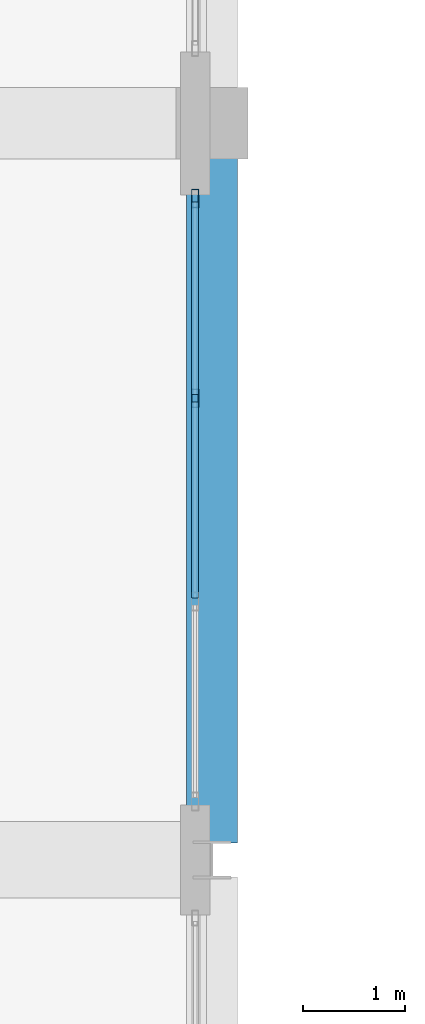
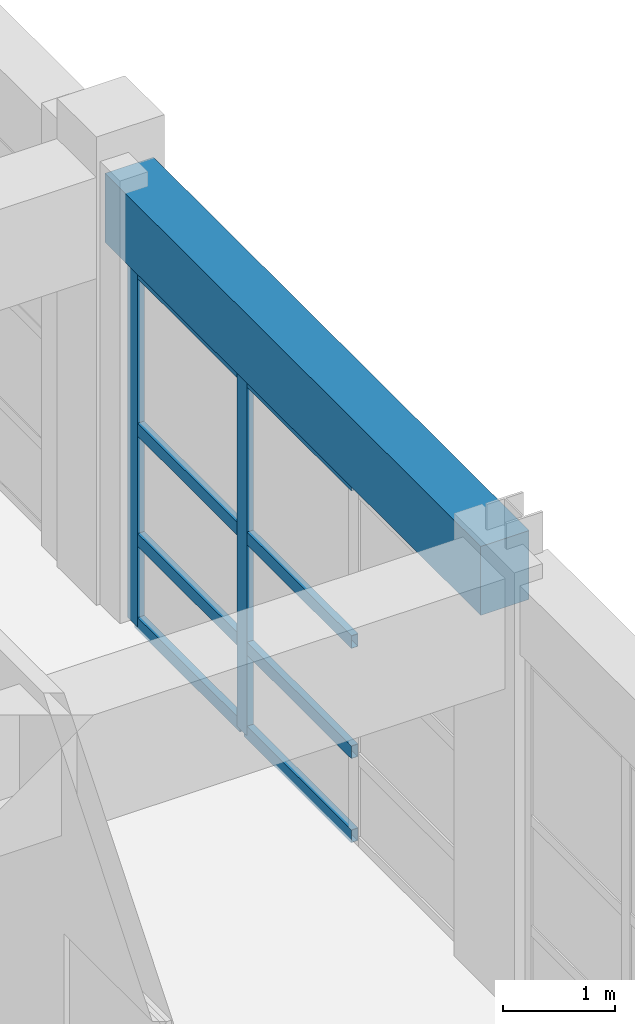
# One storey, part 24 of 78: 10 members, 1 beam, 1 element without a shape of its own.
"""IFC4 building model written with IfcOpenShell, lengths in metres."""

from ifc_helpers import new_model, si_unit, direction, frame, origin, origin_2d, place, context, subcontext, project, spatial, rectangle, hollow_rectangle, extrude, material, layer, layer_set, material_profile, profile_set, type_object, element, aggregate, save


model = new_model("IFC4")

# Units and contexts
model_context = context("Model", 3, precision=1e-05, world=origin(), true_north=direction((0.0, 1.0)))
body_context = subcontext(model_context, "Body", "Model", "MODEL_VIEW")
ifc_project = project(units=[si_unit("LENGTHUNIT", "METRE"), si_unit("AREAUNIT", "SQUARE_METRE"), si_unit("VOLUMEUNIT", "CUBIC_METRE"), si_unit("PLANEANGLEUNIT", "RADIAN"), si_unit("MASSUNIT", "GRAM", prefix="KILO")], contexts=[model_context])

# Site, building, storey
site_placement = place(None, origin())
site = spatial("IfcSite", under=ifc_project, at=site_placement, CompositionType="ELEMENT")
building_placement = place(site_placement, origin())
building = spatial("IfcBuilding", under=site, at=building_placement, Name="Quendrovan Civic Courthouse", CompositionType="ELEMENT")
storey_placement = place(building_placement, frame((0.0, 0.0, 10.199951171875)))
storey = spatial("IfcBuildingStorey", under=building, at=storey_placement, Name="L03", CompositionType="ELEMENT", Elevation=10.199951171875)

# Beam
ifc_material_1 = material(Name="Concrete C40/50", Category="concrete")
ifc_material_profile_1 = material_profile(ifc_material_1, rectangle(XDim=0.5, YDim=0.75, at=origin_2d()), Name="RC-BM-500x750")
ifc_profile_set_1 = profile_set([ifc_material_profile_1], Name="Concrete C40/50")
beam_type = type_object("IfcBeamType", Name="BM-RC750", PredefinedType="SPANDREL", material=ifc_profile_set_1)
beam_placement = place(storey_placement, frame((16.800048828125, 73.365966796875, 4.28515625), z_axis=(0.0, 1.0, 0.0), x_axis=(-1.0, 0.0, 0.0)))
element("IfcBeam", 1, at=beam_placement, inside=storey, type_object=beam_type, Name="L03 Girder Y0817", PredefinedType="SPANDREL", context=body_context, shape_type="SweptSolid", body=[
    extrude(rectangle(XDim=0.5, YDim=0.75, at=origin_2d()), origin(), (0.0, 0.0, 1.0), 6.7041015625),
])

# Curtain wall, members
ifc_material_2 = material(Name="Bronze anodised aluminium and low-E glass", Category="aluminium")
ifc_layer = layer(ifc_material_2, 0.179931640625, Name="Bronze anodised aluminium and low-E glass")
ifc_layer_set = layer_set([ifc_layer], Name="Bronze anodised aluminium and low-E glass")
curtain_wall_type = type_object("IfcCurtainWallType", Name="CW-U60x39", PredefinedType="USERDEFINED", material=ifc_layer_set)
curtain_wall_placement = place(storey_placement, origin())
curtain_wall = element("IfcCurtainWall", 2, at=curtain_wall_placement, inside=storey, type_object=curtain_wall_type, Name="L03 Unitised Hurricane Curtain Wall CW-120", ObjectType="UNITISED CURTAIN WALL", PredefinedType="USERDEFINED")
ifc_material_3 = material(Name="Bronze anodised aluminium", Category="aluminium")
ifc_material_profile_2 = material_profile(ifc_material_3, hollow_rectangle(XDim=0.070068359375, YDim=0.179931640625, WallThickness=0.00390625, at=origin_2d()), Name="CW-MULL-70x180")
ifc_profile_set_2 = profile_set([ifc_material_profile_2], Name="Bronze anodised aluminium")
member_type_1 = type_object("IfcMemberType", Name="CW-MULL-A", PredefinedType="MULLION", material=ifc_profile_set_2)
member_1_placement = place(storey_placement, frame((16.635009765625, 79.6650390625, 0.0), z_axis=(0.0, 0.0, 1.0), x_axis=(1.0, 0.0, 0.0)))
member_1 = element("IfcMember", 3, at=member_1_placement, type_object=member_type_1, Name="CW-120 mullion 1", PredefinedType="MULLION", context=body_context, shape_type="SweptSolid", body=[
    extrude(hollow_rectangle(XDim=0.070068359375, YDim=0.179931640625, WallThickness=0.00390625, at=origin_2d()), origin(), (0.0, 0.0, 1.0), 3.900146484375),
])
member_2_placement = place(storey_placement, frame((16.635009765625, 77.71240234375, 0.0), z_axis=(0.0, 0.0, 1.0), x_axis=(1.0, 0.0, 0.0)))
member_2 = element("IfcMember", 4, at=member_2_placement, type_object=member_type_1, Name="CW-120 mullion 2", PredefinedType="MULLION", context=body_context, shape_type="SweptSolid", body=[
    extrude(hollow_rectangle(XDim=0.070068359375, YDim=0.179931640625, WallThickness=0.00390625, at=origin_2d()), origin(), (0.0, 0.0, 1.0), 3.900146484375),
])
ifc_material_profile_3 = material_profile(ifc_material_3, hollow_rectangle(XDim=0.070068359375, YDim=0.139892578125, WallThickness=0.00390625, at=origin_2d()), Name="CW-TRAN-70x140")
ifc_profile_set_3 = profile_set([ifc_material_profile_3], Name="Bronze anodised aluminium")
member_type_2 = type_object("IfcMemberType", Name="CW-TRAN-A", PredefinedType="USERDEFINED", material=ifc_profile_set_3)
member_3_placement = place(storey_placement, frame((16.635009765625, 79.6298828125, 0.03515625), z_axis=(0.0, -1.0, 0.0), x_axis=(1.0, 0.0, 0.0)))
member_3 = element("IfcMember", 5, at=member_3_placement, type_object=member_type_2, Name="CW-120 transom 1.1", ObjectType="TRANSOM", PredefinedType="USERDEFINED", context=body_context, shape_type="SweptSolid", body=[
    extrude(hollow_rectangle(XDim=0.070068359375, YDim=0.139892578125, WallThickness=0.00390625, at=origin_2d()), origin(), (0.0, 0.0, 1.0), 1.882568359375),
])
member_4_placement = place(storey_placement, frame((16.635009765625, 79.6298828125, 0.949951171875), z_axis=(0.0, -1.0, 0.0), x_axis=(1.0, 0.0, 0.0)))
member_4 = element("IfcMember", 6, at=member_4_placement, type_object=member_type_2, Name="CW-120 transom 1.2", ObjectType="TRANSOM", PredefinedType="USERDEFINED", context=body_context, shape_type="SweptSolid", body=[
    extrude(hollow_rectangle(XDim=0.070068359375, YDim=0.139892578125, WallThickness=0.00390625, at=origin_2d()), origin(), (0.0, 0.0, 1.0), 1.882568359375),
])
member_5_placement = place(storey_placement, frame((16.635009765625, 79.6298828125, 2.150146484375), z_axis=(0.0, -1.0, 0.0), x_axis=(1.0, 0.0, 0.0)))
member_5 = element("IfcMember", 7, at=member_5_placement, type_object=member_type_2, Name="CW-120 transom 1.3", ObjectType="TRANSOM", PredefinedType="USERDEFINED", context=body_context, shape_type="SweptSolid", body=[
    extrude(hollow_rectangle(XDim=0.070068359375, YDim=0.139892578125, WallThickness=0.00390625, at=origin_2d()), origin(), (0.0, 0.0, 1.0), 1.882568359375),
])
member_6_placement = place(storey_placement, frame((16.635009765625, 79.6298828125, 3.864990234375), z_axis=(0.0, -1.0, 0.0), x_axis=(1.0, 0.0, 0.0)))
member_6 = element("IfcMember", 8, at=member_6_placement, type_object=member_type_2, Name="CW-120 transom 1.4", ObjectType="TRANSOM", PredefinedType="USERDEFINED", context=body_context, shape_type="SweptSolid", body=[
    extrude(hollow_rectangle(XDim=0.070068359375, YDim=0.139892578125, WallThickness=0.00390625, at=origin_2d()), origin(), (0.0, 0.0, 1.0), 1.882568359375),
])
member_7_placement = place(storey_placement, frame((16.635009765625, 77.67724609375, 0.03515625), z_axis=(0.0, -1.0, 0.0), x_axis=(1.0, 0.0, 0.0)))
member_7 = element("IfcMember", 9, at=member_7_placement, type_object=member_type_2, Name="CW-120 transom 2.1", ObjectType="TRANSOM", PredefinedType="USERDEFINED", context=body_context, shape_type="SweptSolid", body=[
    extrude(hollow_rectangle(XDim=0.070068359375, YDim=0.139892578125, WallThickness=0.00390625, at=origin_2d()), origin(), (0.0, 0.0, 1.0), 1.91748046875),
])
member_8_placement = place(storey_placement, frame((16.635009765625, 77.67724609375, 0.949951171875), z_axis=(0.0, -1.0, 0.0), x_axis=(1.0, 0.0, 0.0)))
member_8 = element("IfcMember", 10, at=member_8_placement, type_object=member_type_2, Name="CW-120 transom 2.2", ObjectType="TRANSOM", PredefinedType="USERDEFINED", context=body_context, shape_type="SweptSolid", body=[
    extrude(hollow_rectangle(XDim=0.070068359375, YDim=0.139892578125, WallThickness=0.00390625, at=origin_2d()), origin(), (0.0, 0.0, 1.0), 1.91748046875),
])
member_9_placement = place(storey_placement, frame((16.635009765625, 77.67724609375, 2.150146484375), z_axis=(0.0, -1.0, 0.0), x_axis=(1.0, 0.0, 0.0)))
member_9 = element("IfcMember", 11, at=member_9_placement, type_object=member_type_2, Name="CW-120 transom 2.3", ObjectType="TRANSOM", PredefinedType="USERDEFINED", context=body_context, shape_type="SweptSolid", body=[
    extrude(hollow_rectangle(XDim=0.070068359375, YDim=0.139892578125, WallThickness=0.00390625, at=origin_2d()), origin(), (0.0, 0.0, 1.0), 1.91748046875),
])
member_10_placement = place(storey_placement, frame((16.635009765625, 77.67724609375, 3.864990234375), z_axis=(0.0, -1.0, 0.0), x_axis=(1.0, 0.0, 0.0)))
member_10 = element("IfcMember", 12, at=member_10_placement, type_object=member_type_2, Name="CW-120 transom 2.4", ObjectType="TRANSOM", PredefinedType="USERDEFINED", context=body_context, shape_type="SweptSolid", body=[
    extrude(hollow_rectangle(XDim=0.070068359375, YDim=0.139892578125, WallThickness=0.00390625, at=origin_2d()), origin(), (0.0, 0.0, 1.0), 1.91748046875),
])
aggregate(curtain_wall, [member_1, member_2, member_3, member_4, member_5, member_6, member_7, member_8, member_9, member_10])

save(model, "model.ifc")
